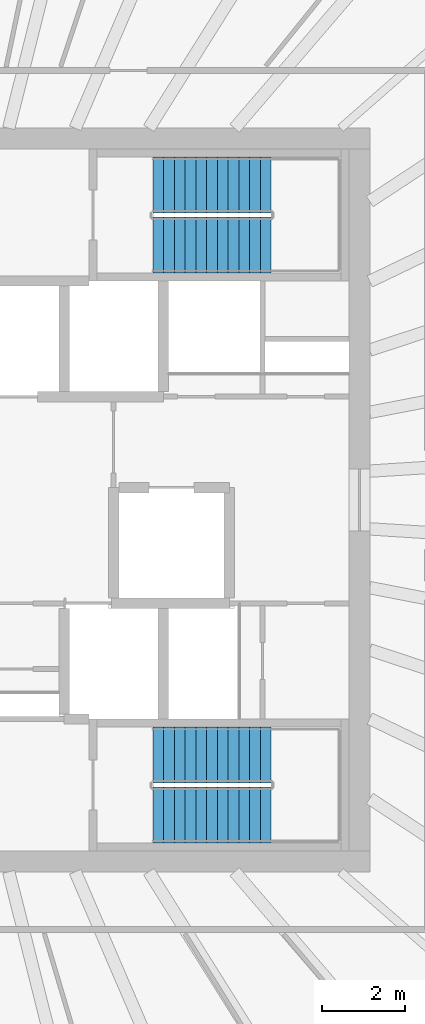
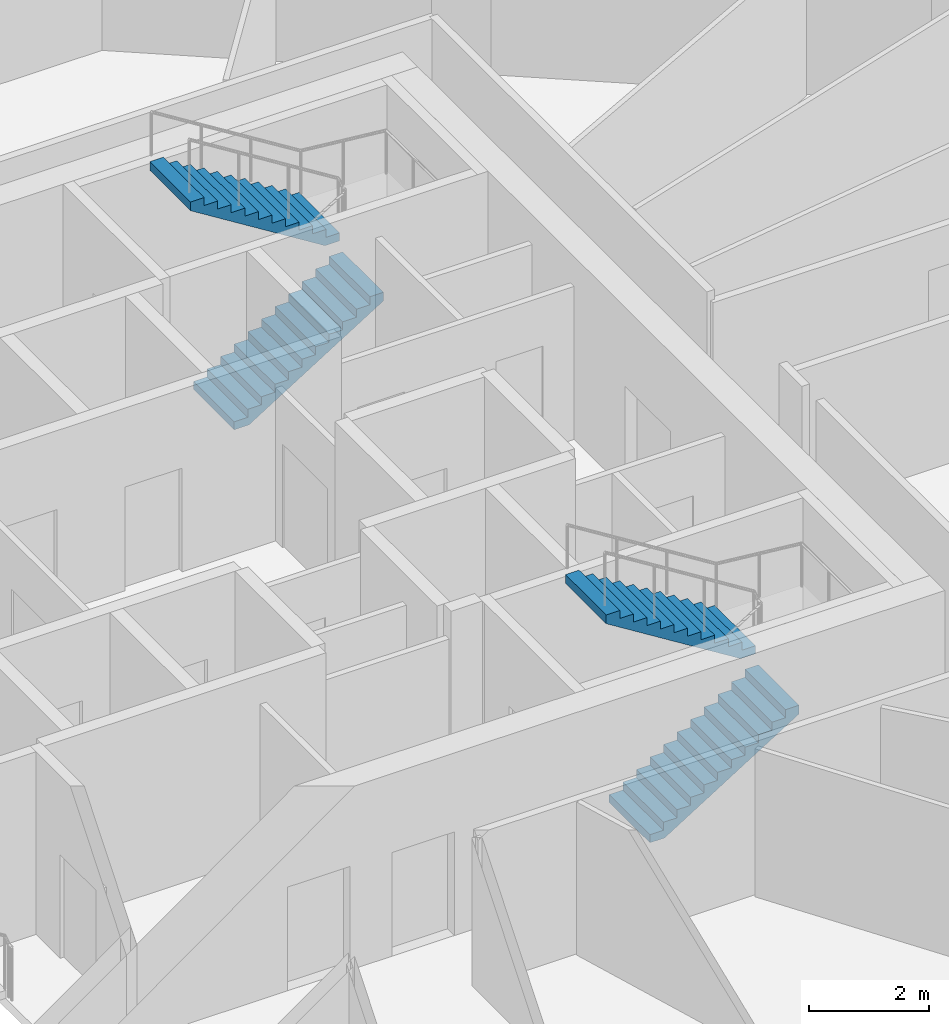
# One storey, part 11 of 12: 4 stair flights, 2 elements without a shape of their own.
"""IFC4 building model written with IfcOpenShell, lengths in metres."""

from ifc_helpers import new_model, si_unit, direction, frame, origin, place, context, subcontext, project, spatial, polyline, outline, extrude, source, transform, mapped, material, type_object, element, aggregate, save


model = new_model("IFC4")

# Units and contexts
model_context = context("Model", 3, precision=1e-05, world=origin(), true_north=direction((0.0, 1.0)))
body_context = subcontext(model_context, "Body", "Model", "MODEL_VIEW")
ifc_project = project(units=[si_unit("LENGTHUNIT", "METRE"), si_unit("AREAUNIT", "SQUARE_METRE"), si_unit("VOLUMEUNIT", "CUBIC_METRE"), si_unit("PLANEANGLEUNIT", "RADIAN"), si_unit("MASSUNIT", "GRAM", prefix="KILO")], contexts=[model_context])

# Site, building, storey
site_placement = place(None, origin())
site = spatial("IfcSite", under=ifc_project, at=site_placement, CompositionType="ELEMENT")
building_placement = place(site_placement, origin())
building = spatial("IfcBuilding", under=site, at=building_placement, Name="Embergate Tower", CompositionType="ELEMENT")
storey_placement = place(building_placement, frame((0.0, 0.0, 320.800048828125)))
storey = spatial("IfcBuildingStorey", under=building, at=storey_placement, Name="L75", CompositionType="ELEMENT", Elevation=320.800048828125)

# Stair, stair flights
ifc_material_1 = material(Name="Exit stair")
stair_type = type_object("IfcStairType", Name="Exit stair", PredefinedType="HALF_TURN_STAIR", material=ifc_material_1)
stair_1_placement = place(storey_placement, origin())
stair_1 = element("IfcStair", 1, at=stair_1_placement, inside=storey, type_object=stair_type, Name="L75 Exit stair 2", PredefinedType="HALF_TURN_STAIR")
ifc_material_2 = material(Name="Concrete C40", Category="concrete")
stair_flight_type = type_object("IfcStairFlightType", Name="Stair flight reinforced concrete", PredefinedType="STRAIGHT", material=ifc_material_2)
shared_shape = source(origin(), body_context, "Body", "SweptSolid", [
    extrude(outline(polyline([(0.0, 0.0), (0.0, 0.16259765625), (0.260009765625, 0.16259765625), (0.260009765625, 0.324951171875), (0.52001953125, 0.324951171875), (0.52001953125, 0.487548828125), (0.780029296875, 0.487548828125), (0.780029296875, 0.64990234375), (1.0400390625, 0.64990234375), (1.0400390625, 0.8125), (1.300048828125, 0.8125), (1.300048828125, 0.97509765625), (1.56005859375, 0.97509765625), (1.56005859375, 1.137451171875), (1.820068359375, 1.137451171875), (1.820068359375, 1.300048828125), (2.080078125, 1.300048828125), (2.080078125, 1.46240234375), (2.340087890625, 1.46240234375), (2.340087890625, 1.625), (2.60009765625, 1.625), (2.60009765625, 1.78759765625), (2.860107421875, 1.78759765625), (2.860107421875, 1.949951171875), (2.860107421875, 1.61083984375), (0.28271484375, 0.0), (0.0, 0.0)])), frame((0.0, 0.675048828125, 0.0), z_axis=(0.0, -1.0, 0.0), x_axis=(1.0, 0.0, 0.0)), (0.0, 0.0, 1.0), 1.35009765625),
])
stair_flight_1_placement = place(storey_placement, frame((5.75, 6.175048828125, 0.0), z_axis=(0.0, 0.0, 1.0), x_axis=(1.0, 0.0, 0.0)))
stair_flight_1 = element("IfcStairFlight", 2, at=stair_flight_1_placement, type_object=stair_flight_type, Name="ST2 flight 1", NumberOfRisers=12, NumberOfTreads=11, PredefinedType="STRAIGHT", RiserHeight=0.1625, TreadLength=0.26, context=body_context, shape_type="MappedRepresentation", body=[
    mapped(shared_shape, transform((0.0, 0.0, 0.0))),
])
stair_flight_2_placement = place(storey_placement, frame((8.610107421875, 7.625, 1.949951171875), z_axis=(0.0, 0.0, 1.0), x_axis=(-1.0, 0.0, 0.0)))
stair_flight_2 = element("IfcStairFlight", 3, at=stair_flight_2_placement, type_object=stair_flight_type, Name="ST2 flight 2", NumberOfRisers=12, NumberOfTreads=11, PredefinedType="STRAIGHT", RiserHeight=0.1625, TreadLength=0.26, context=body_context, shape_type="MappedRepresentation", body=[
    mapped(shared_shape, transform((0.0, 0.0, 0.0))),
])
aggregate(stair_1, [stair_flight_1, stair_flight_2])

stair_2_placement = place(storey_placement, origin())
stair_2 = element("IfcStair", 4, at=stair_2_placement, inside=storey, type_object=stair_type, Name="L75 Exit stair 4", PredefinedType="HALF_TURN_STAIR")
stair_flight_3_placement = place(storey_placement, frame((5.75, -7.625, 0.0), z_axis=(0.0, 0.0, 1.0), x_axis=(1.0, 0.0, 0.0)))
stair_flight_3 = element("IfcStairFlight", 5, at=stair_flight_3_placement, type_object=stair_flight_type, Name="ST4 flight 1", NumberOfRisers=12, NumberOfTreads=11, PredefinedType="STRAIGHT", RiserHeight=0.1625, TreadLength=0.26, context=body_context, shape_type="MappedRepresentation", body=[
    mapped(shared_shape, transform((0.0, 0.0, 0.0))),
])
stair_flight_4_placement = place(storey_placement, frame((8.610107421875, -6.175048828125, 1.949951171875), z_axis=(0.0, 0.0, 1.0), x_axis=(-1.0, 0.0, 0.0)))
stair_flight_4 = element("IfcStairFlight", 6, at=stair_flight_4_placement, type_object=stair_flight_type, Name="ST4 flight 2", NumberOfRisers=12, NumberOfTreads=11, PredefinedType="STRAIGHT", RiserHeight=0.1625, TreadLength=0.26, context=body_context, shape_type="MappedRepresentation", body=[
    mapped(shared_shape, transform((0.0, 0.0, 0.0))),
])
aggregate(stair_2, [stair_flight_3, stair_flight_4])

save(model, "model.ifc")
